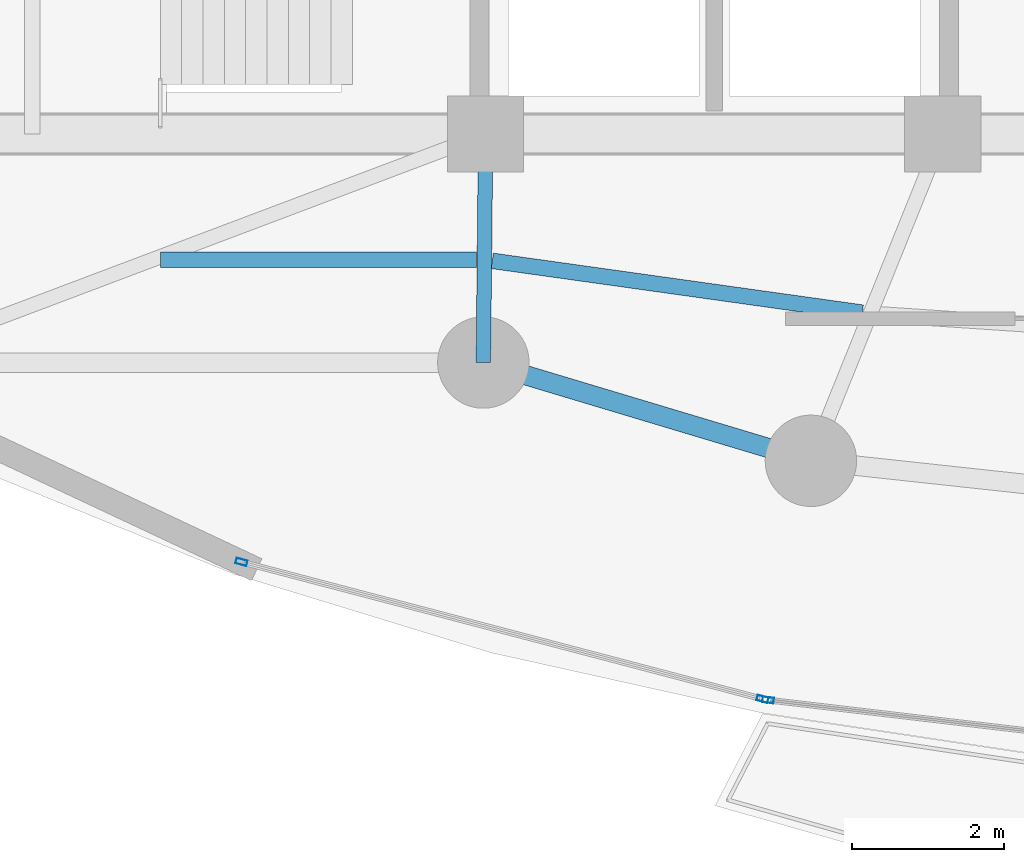
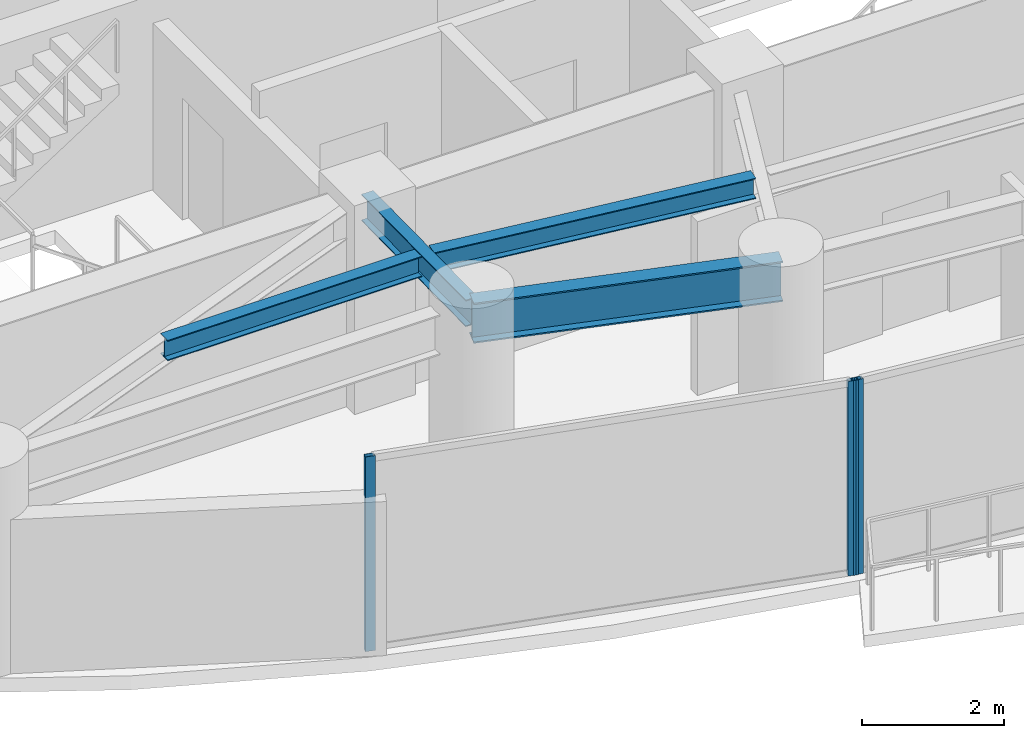
# One storey, part 5 of 34: 4 beams, 3 members, 2 elements without a shape of their own.
"""IFC4 building model written with IfcOpenShell, lengths in metres."""

from ifc_helpers import new_model, si_unit, direction, frame, origin, origin_2d, place, context, subcontext, project, spatial, hollow_rectangle, i_section, extrude, material, layer, layer_set, material_profile, profile_set, type_object, element, aggregate, save


model = new_model("IFC4")

# Units and contexts
model_context = context("Model", 3, precision=1e-05, world=origin(), true_north=direction((0.0, 1.0)))
body_context = subcontext(model_context, "Body", "Model", "MODEL_VIEW")
ifc_project = project(units=[si_unit("LENGTHUNIT", "METRE"), si_unit("AREAUNIT", "SQUARE_METRE"), si_unit("VOLUMEUNIT", "CUBIC_METRE"), si_unit("PLANEANGLEUNIT", "RADIAN"), si_unit("MASSUNIT", "GRAM", prefix="KILO")], contexts=[model_context])

# Site, building, storey
site_placement = place(None, origin())
site = spatial("IfcSite", under=ifc_project, at=site_placement, CompositionType="ELEMENT")
building_placement = place(site_placement, origin())
building = spatial("IfcBuilding", under=site, at=building_placement, Name="Kazevale Care Tower and Concert Hall", CompositionType="ELEMENT")
storey_placement = place(building_placement, frame((0.0, 0.0, 156.60009765625)))
storey = spatial("IfcBuildingStorey", under=building, at=storey_placement, Name="L41", CompositionType="ELEMENT", Elevation=156.60009765625)

# Curtain wall, member
ifc_material_1 = material(Name="Aluminium 6063-T6 and Low-E Glass", Category="aluminium")
ifc_layer = layer(ifc_material_1, 0.179931640625)
ifc_layer_set = layer_set([ifc_layer], Name="Aluminium 6063-T6 and Low-E Glass")
curtain_wall_type = type_object("IfcCurtainWallType", Name="Sheltered Concave Balcony Curtain Wall CW-5", PredefinedType="NOTDEFINED", material=ifc_layer_set)
curtain_wall_1_placement = place(storey_placement, origin())
curtain_wall_1 = element("IfcCurtainWall", 1, at=curtain_wall_1_placement, inside=storey, type_object=curtain_wall_type, Name="cw:L41:f07", PredefinedType="NOTDEFINED")
ifc_material_2 = material(Name="Aluminium 6063-T6", Category="aluminium")
ifc_material_profile_1 = material_profile(ifc_material_2, hollow_rectangle(XDim=0.074951171875, YDim=0.14990234375, WallThickness=0.00390625, at=origin_2d()), Name="ALU75x150x4")
ifc_profile_set_1 = profile_set([ifc_material_profile_1], Name="Aluminium 6063-T6")
member_type = type_object("IfcMemberType", Name="CW-5 Mullion ALU75x150x4", PredefinedType="MULLION", material=ifc_profile_set_1)
member_1_placement = place(storey_placement, frame((33.708251953125, 16.169677734375, 0.0), z_axis=(0.0, 0.0, 1.0), x_axis=(-0.117372179238, -0.993087997884, 0.0)))
member_1 = element("IfcMember", 2, at=member_1_placement, type_object=member_type, Name="CW-5 mullion 2", PredefinedType="MULLION", context=body_context, shape_type="SweptSolid", body=[
    extrude(hollow_rectangle(XDim=0.074951171875, YDim=0.14990234375, WallThickness=0.00390625, at=origin_2d()), origin(), (0.0, 0.0, 1.0), 3.35986328125),
])
aggregate(curtain_wall_1, [member_1])

# Curtain wall, members
curtain_wall_2_placement = place(storey_placement, origin())
curtain_wall_2 = element("IfcCurtainWall", 3, at=curtain_wall_2_placement, inside=storey, type_object=curtain_wall_type, Name="cw:L41:f08", PredefinedType="NOTDEFINED")
member_2_placement = place(storey_placement, frame((33.634765625, 16.18359375, 0.0), z_axis=(0.0, 0.0, 1.0), x_axis=(-0.254238458229, -0.967141564797, 0.0)))
member_2 = element("IfcMember", 4, at=member_2_placement, type_object=member_type, Name="CW-5 mullion 1", PredefinedType="MULLION", context=body_context, shape_type="SweptSolid", body=[
    extrude(hollow_rectangle(XDim=0.074951171875, YDim=0.14990234375, WallThickness=0.00390625, at=origin_2d()), origin(), (0.0, 0.0, 1.0), 3.35986328125),
])
member_3_placement = place(storey_placement, frame((26.795166015625, 17.9814453125, 0.0), z_axis=(0.0, 0.0, 1.0), x_axis=(-0.254238458229, -0.967141564797, 0.0)))
member_3 = element("IfcMember", 5, at=member_3_placement, type_object=member_type, Name="CW-5 mullion 2", PredefinedType="MULLION", context=body_context, shape_type="SweptSolid", body=[
    extrude(hollow_rectangle(XDim=0.074951171875, YDim=0.14990234375, WallThickness=0.00390625, at=origin_2d()), origin(), (0.0, 0.0, 1.0), 3.35986328125),
])
aggregate(curtain_wall_2, [member_2, member_3])

# Beams
ifc_material_3 = material(Name="Steel ASTM A572 Gr 50", Category="steel")
ifc_material_profile_2 = material_profile(ifc_material_3, i_section(OverallWidth=0.19091796875, OverallDepth=0.4599609375, WebThickness=0.010009765625, FlangeThickness=0.01611328125, at=origin_2d()), Name="W460x82")
ifc_profile_set_2 = profile_set([ifc_material_profile_2], Name="Steel ASTM A572 Gr 50")
beam_type_1 = type_object("IfcBeamType", Name="Radial Floor Beam W460x82", PredefinedType="BEAM", material=ifc_profile_set_2)
beam_1_placement = place(storey_placement, frame((30.0, 23.60009765625, 3.1298828125), z_axis=(-0.010009264196, -0.99994990606, 0.0), x_axis=(0.99994990606, -0.010009264196, 0.0)))
element("IfcBeam", 6, at=beam_1_placement, inside=storey, type_object=beam_type_1, Name="beam:L41:rad:11", PredefinedType="BEAM", context=body_context, shape_type="SweptSolid", body=[
    extrude(i_section(OverallWidth=0.19091796875, OverallDepth=0.4599609375, WebThickness=0.010009765625, FlangeThickness=0.01611328125, at=origin_2d()), origin(), (0.0, 0.0, 1.0), 3.000244140625),
])
ifc_material_profile_3 = material_profile(ifc_material_3, i_section(OverallWidth=0.205078125, OverallDepth=0.35400390625, WebThickness=0.009521484375, FlangeThickness=0.016845703125, at=origin_2d()), Name="W360x79")
ifc_profile_set_3 = profile_set([ifc_material_profile_3], Name="Steel ASTM A572 Gr 50")
beam_type_2 = type_object("IfcBeamType", Name="Secondary Floor Joist W360x79", PredefinedType="JOIST", material=ifc_profile_set_3)
beam_2_placement = place(storey_placement, frame((25.73291015625, 21.949951171875, 3.182861328125), z_axis=(1.0, 0.0, 0.0), x_axis=(0.0, 1.0, 0.0)))
element("IfcBeam", 7, at=beam_2_placement, inside=storey, type_object=beam_type_2, Name="beam:L41:joist:10", PredefinedType="JOIST", context=body_context, shape_type="SweptSolid", body=[
    extrude(i_section(OverallWidth=0.205078125, OverallDepth=0.35400390625, WebThickness=0.009521484375, FlangeThickness=0.016845703125, at=origin_2d()), origin(), (0.0, 0.0, 1.0), 4.14501953125),
])
beam_3_placement = place(storey_placement, frame((30.0869140625, 21.93505859375, 3.182861328125), z_axis=(0.990340789942, -0.138654678164, 0.0), x_axis=(0.138654678164, 0.990340789942, 0.0)))
element("IfcBeam", 8, at=beam_3_placement, inside=storey, type_object=beam_type_2, Name="beam:L41:joist:11", PredefinedType="JOIST", context=body_context, shape_type="SweptSolid", body=[
    extrude(i_section(OverallWidth=0.205078125, OverallDepth=0.35400390625, WebThickness=0.009521484375, FlangeThickness=0.016845703125, at=origin_2d()), origin(), (0.0, 0.0, 1.0), 4.905517578125),
])
ifc_material_profile_4 = material_profile(ifc_material_3, i_section(OverallWidth=0.256103515625, OverallDepth=0.693115234375, WebThickness=0.014404296875, FlangeThickness=0.023681640625, at=origin_2d()), Name="W690x170")
ifc_profile_set_4 = profile_set([ifc_material_profile_4], Name="Steel ASTM A572 Gr 50")
beam_type_3 = type_object("IfcBeamType", Name="Waist Ring Beam W690x170", PredefinedType="BEAM", material=ifc_profile_set_4)
beam_4_placement = place(storey_placement, frame((29.969970703125, 20.60009765625, 3.013427734375), z_axis=(0.957824788464, -0.287352874709, 0.0), x_axis=(0.287352874709, 0.957824788464, 0.0)))
element("IfcBeam", 9, at=beam_4_placement, inside=storey, type_object=beam_type_3, Name="beam:L41:ring:11", PredefinedType="BEAM", context=body_context, shape_type="SweptSolid", body=[
    extrude(i_section(OverallWidth=0.256103515625, OverallDepth=0.693115234375, WebThickness=0.014404296875, FlangeThickness=0.023681640625, at=origin_2d()), origin(), (0.0, 0.0, 1.0), 4.489501953125),
])

save(model, "model.ifc")
